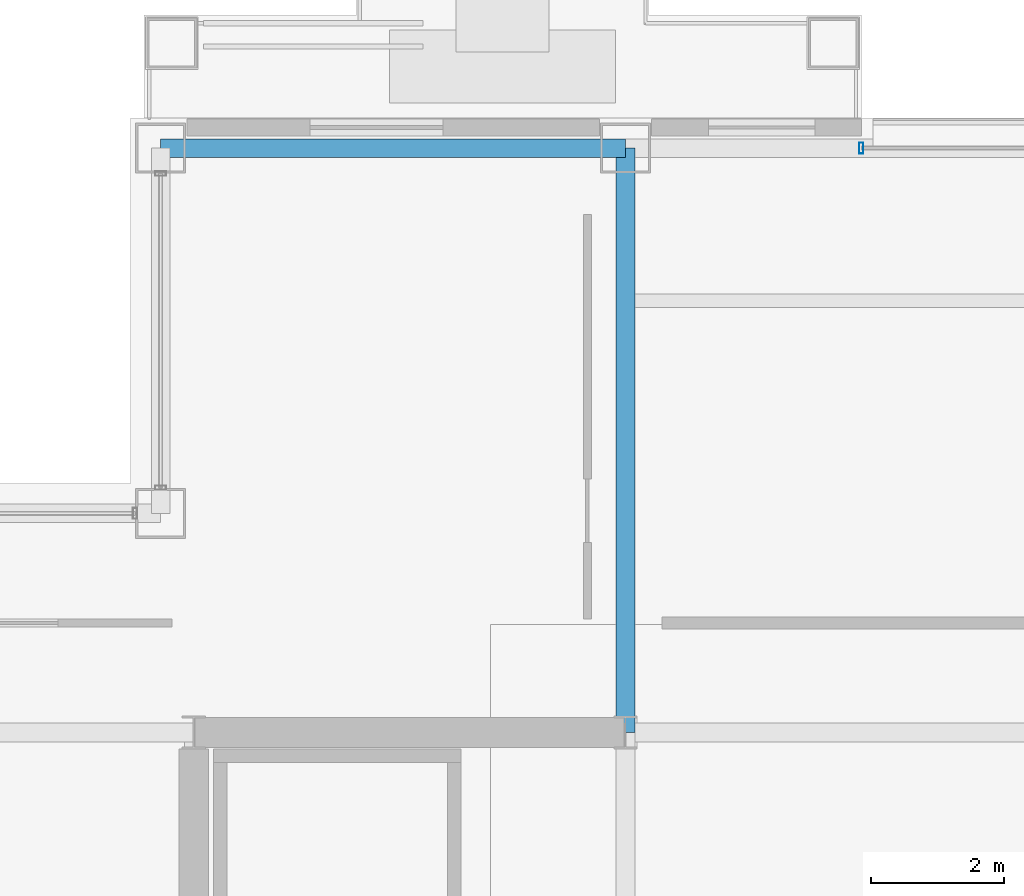
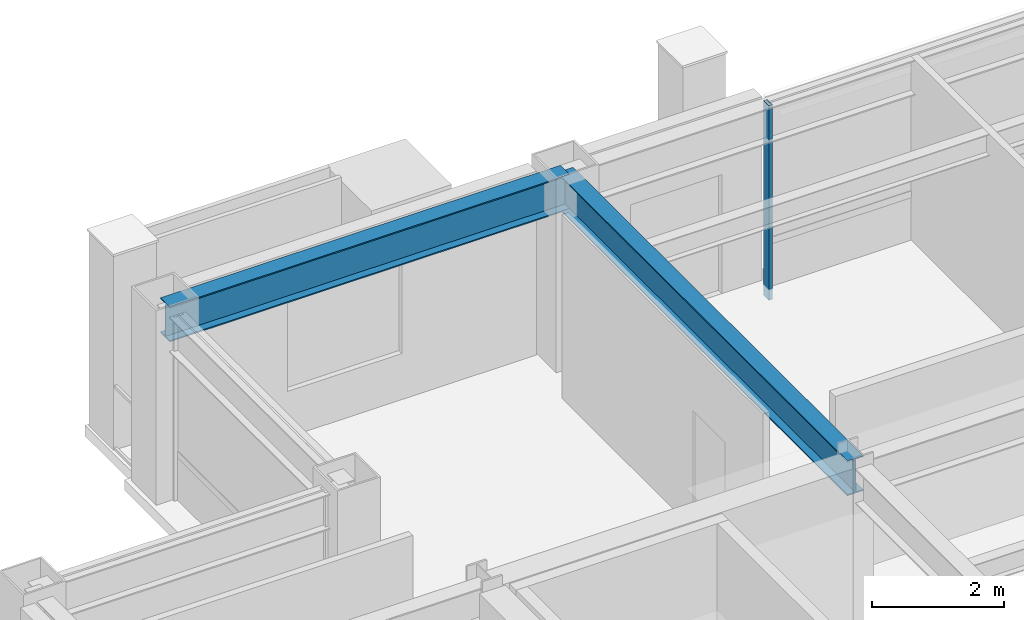
# One storey, part 19 of 30: 2 beams, 1 member, 1 element without a shape of its own.
"""IFC4 building model written with IfcOpenShell, lengths in metres."""

from ifc_helpers import new_model, si_unit, direction, frame, origin, origin_2d, place, context, subcontext, project, spatial, hollow_rectangle, i_section, extrude, material, layer, layer_set, material_profile, profile_set, type_object, element, aggregate, save


model = new_model("IFC4")

# Units and contexts
model_context = context("Model", 3, precision=1e-05, world=origin(), true_north=direction((0.0, 1.0)))
body_context = subcontext(model_context, "Body", "Model", "MODEL_VIEW")
ifc_project = project(units=[si_unit("LENGTHUNIT", "METRE"), si_unit("AREAUNIT", "SQUARE_METRE"), si_unit("VOLUMEUNIT", "CUBIC_METRE"), si_unit("PLANEANGLEUNIT", "RADIAN"), si_unit("MASSUNIT", "GRAM", prefix="KILO")], contexts=[model_context])

# Site, building, storey
site_placement = place(None, origin())
site = spatial("IfcSite", under=ifc_project, at=site_placement, CompositionType="ELEMENT")
building_placement = place(site_placement, origin())
building = spatial("IfcBuilding", under=site, at=building_placement, Name="Brelmoor Portico Tower", CompositionType="ELEMENT")
storey_placement = place(building_placement, frame((0.0, 0.0, 169.5)))
storey = spatial("IfcBuildingStorey", under=building, at=storey_placement, Name="L44", CompositionType="ELEMENT", Elevation=169.5)

# Beams
ifc_material_1 = material(Name="Steel Q355B", Category="steel")
ifc_material_profile_1 = material_profile(ifc_material_1, i_section(OverallWidth=0.280029296875, OverallDepth=0.64990234375, WebThickness=0.012939453125, FlangeThickness=0.02197265625, at=origin_2d()), Name="HN 650x280x13x22")
ifc_profile_set_1 = profile_set([ifc_material_profile_1], Name="Steel Q355B")
beam_type_1 = type_object("IfcBeamType", Name="BM-PG-650", PredefinedType="BEAM", material=ifc_profile_set_1)
beam_1_placement = place(storey_placement, frame((-8.050048828125, 9.75, 3.074951171875), z_axis=(0.0, 1.0, 0.0), x_axis=(-1.0, 0.0, 0.0)))
element("IfcBeam", 1, at=beam_1_placement, inside=storey, type_object=beam_type_1, Name="L44 Primary Floor Girder PG-05", PredefinedType="BEAM", context=body_context, shape_type="SweptSolid", body=[
    extrude(i_section(OverallWidth=0.280029296875, OverallDepth=0.64990234375, WebThickness=0.012939453125, FlangeThickness=0.02197265625, at=origin_2d()), origin(), (0.0, 0.0, 1.0), 8.800048828125),
])
ifc_material_profile_2 = material_profile(ifc_material_1, i_section(OverallWidth=0.280029296875, OverallDepth=0.64990234375, WebThickness=0.012939453125, FlangeThickness=0.02197265625, at=origin_2d()), Name="HN 650x280x13x22")
ifc_profile_set_2 = profile_set([ifc_material_profile_2], Name="Steel Q355B")
beam_type_2 = type_object("IfcBeamType", Name="BM-SP-650", PredefinedType="SPANDREL", material=ifc_profile_set_2)
beam_2_placement = place(storey_placement, frame((-15.050048828125, 18.550048828125, 3.074951171875), z_axis=(1.0, 0.0, 0.0), x_axis=(0.0, 1.0, 0.0)))
element("IfcBeam", 2, at=beam_2_placement, inside=storey, type_object=beam_type_2, Name="L44 Perimeter Spandrel Beam SP-08", PredefinedType="SPANDREL", context=body_context, shape_type="SweptSolid", body=[
    extrude(i_section(OverallWidth=0.280029296875, OverallDepth=0.64990234375, WebThickness=0.012939453125, FlangeThickness=0.02197265625, at=origin_2d()), origin(), (0.0, 0.0, 1.0), 7.0),
])

# Curtain wall, member
ifc_material_2 = material(Name="Anodised Aluminium Alloy 6063-T6", Category="aluminium")
ifc_layer = layer(ifc_material_2, 0.179931640625)
ifc_layer_set = layer_set([ifc_layer], Name="Anodised Aluminium Alloy 6063-T6")
curtain_wall_type = type_object("IfcCurtainWallType", Name="CW-TOWER-Z3", PredefinedType="NOTDEFINED", material=ifc_layer_set)
curtain_wall_placement = place(storey_placement, origin())
curtain_wall = element("IfcCurtainWall", 3, at=curtain_wall_placement, inside=storey, type_object=curtain_wall_type, Name="L44 Curtain Wall CW-L44-2R-1", PredefinedType="NOTDEFINED")
ifc_material_profile_3 = material_profile(ifc_material_2, hollow_rectangle(XDim=0.06494140625, YDim=0.1650390625, WallThickness=0.00390625, at=origin_2d()), Name="ALU MULLION 65x165")
ifc_profile_set_3 = profile_set([ifc_material_profile_3], Name="Anodised Aluminium Alloy 6063-T6")
member_type = type_object("IfcMemberType", Name="MB-CW-MULL-165", PredefinedType="MULLION", material=ifc_profile_set_3)
member_placement = place(storey_placement, frame((-4.5, 18.550048828125, -0.199951171875), z_axis=(0.0, 0.0, 1.0), x_axis=(1.0, 0.0, 0.0)))
member = element("IfcMember", 4, at=member_placement, type_object=member_type, Name="CW-L44-2R-1 Mullion 00", PredefinedType="MULLION", context=body_context, shape_type="SweptSolid", body=[
    extrude(hollow_rectangle(XDim=0.06494140625, YDim=0.1650390625, WallThickness=0.00390625, at=origin_2d()), origin(), (0.0, 0.0, 1.0), 3.599853515625),
])
aggregate(curtain_wall, [member])

save(model, "model.ifc")
